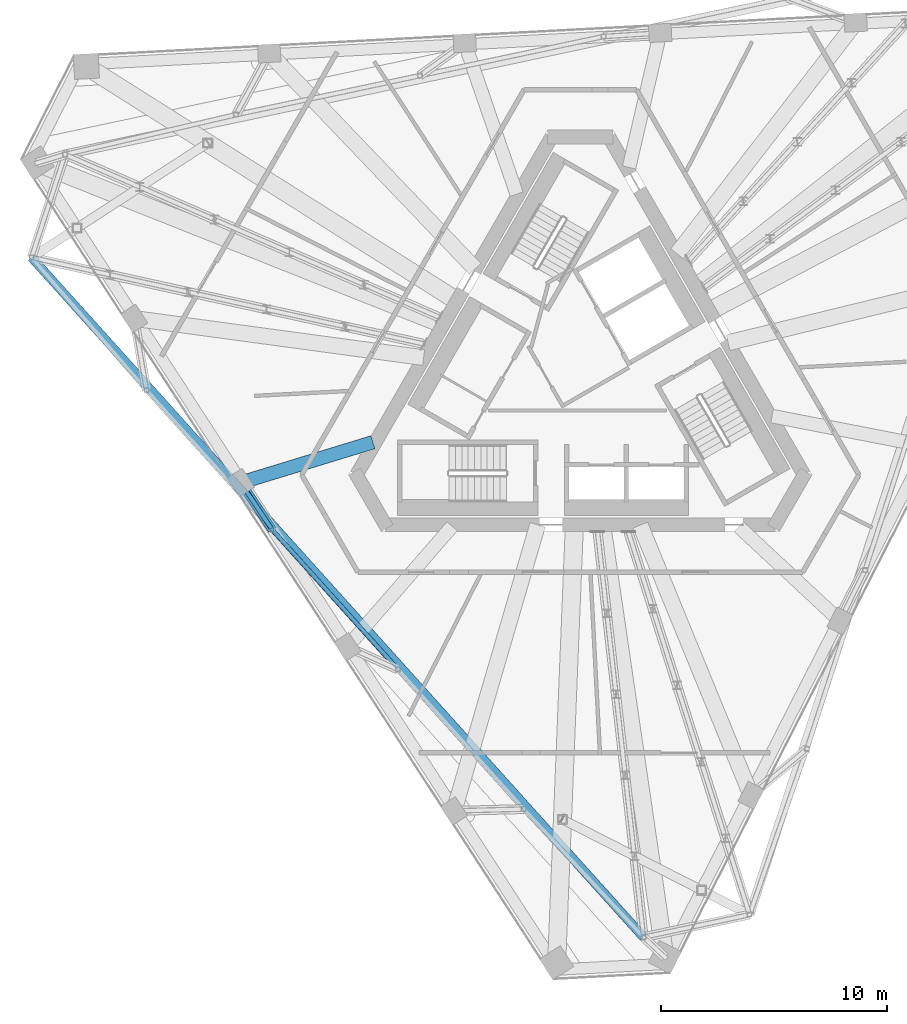
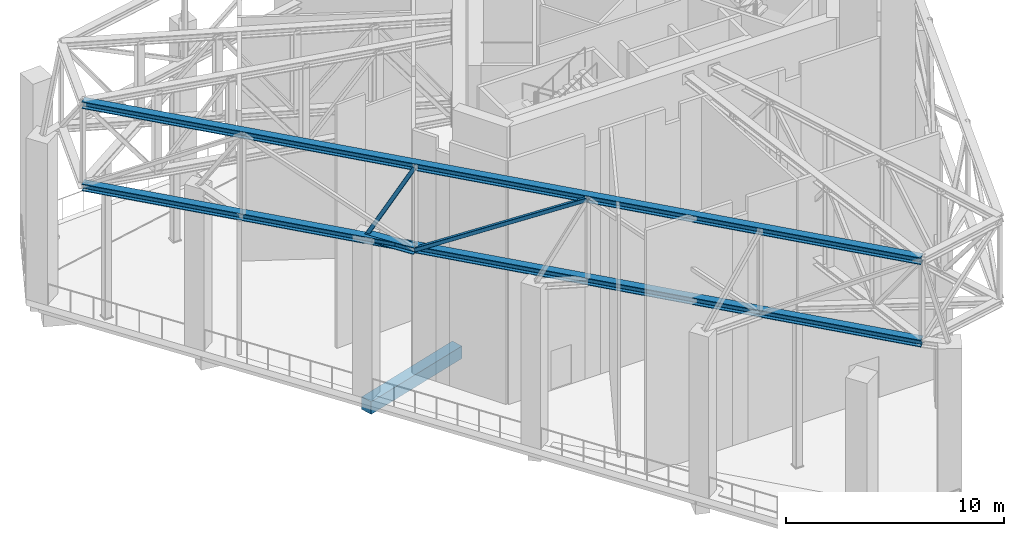
# One storey, part 5 of 23: 5 members, 1 beam.
"""IFC4 building model written with IfcOpenShell, lengths in metres."""

from ifc_helpers import new_model, si_unit, direction, frame, origin, origin_2d, place, context, subcontext, project, spatial, rectangle, hollow_rectangle, i_section, extrude, material, material_profile, profile_set, type_object, element, save


model = new_model("IFC4")

# Units and contexts
model_context = context("Model", 3, precision=1e-05, world=origin(), true_north=direction((0.0, 1.0)))
body_context = subcontext(model_context, "Body", "Model", "MODEL_VIEW")
ifc_project = project(units=[si_unit("LENGTHUNIT", "METRE"), si_unit("AREAUNIT", "SQUARE_METRE"), si_unit("VOLUMEUNIT", "CUBIC_METRE"), si_unit("PLANEANGLEUNIT", "RADIAN"), si_unit("MASSUNIT", "GRAM", prefix="KILO")], contexts=[model_context])

# Site, building, storey
site_placement = place(None, origin())
site = spatial("IfcSite", under=ifc_project, at=site_placement, CompositionType="ELEMENT")
building_placement = place(site_placement, origin())
building = spatial("IfcBuilding", under=site, at=building_placement, Name="Tramontana Tower", CompositionType="ELEMENT")
storey_placement = place(building_placement, frame((0.0, 0.0, 306.39990234375)))
storey = spatial("IfcBuildingStorey", under=building, at=storey_placement, Name="L72", CompositionType="ELEMENT", Elevation=306.39990234375)

# Members
ifc_material_1 = material(Name="Steel ASTM A500 Grade C", Category="steel")
ifc_material_profile_1 = material_profile(ifc_material_1, hollow_rectangle(XDim=0.203125, YDim=0.203125, WallThickness=0.0087890625, InnerFilletRadius=0.0087890625, OuterFilletRadius=0.017822265625, at=origin_2d()), Name="HSS8X8X3/8")
ifc_profile_set_1 = profile_set([ifc_material_profile_1], Name="Steel ASTM A500 Grade C")
member_type_1 = type_object("IfcMemberType", Name="Belt truss HSS8X8X3/8 brace", PredefinedType="BRACE", material=ifc_profile_set_1)
member_1_placement = place(storey_placement, frame((-13.63134765625, -6.68017578125, 8.84375), z_axis=(0.585114730866, -0.649825040784, 0.485147573521), x_axis=(0.743139345742, 0.669136692171, 0.0)))
element("IfcMember", 1, at=member_1_placement, inside=storey, type_object=member_type_1, Name="Belt truss diagonal S0.3", PredefinedType="BRACE", context=body_context, shape_type="SweptSolid", body=[
    extrude(hollow_rectangle(XDim=0.203125, YDim=0.203125, WallThickness=0.0087890625, InnerFilletRadius=0.0087890625, OuterFilletRadius=0.017822265625, at=origin_2d()), origin(), (0.0, 0.0, 1.0), 9.507568359375),
])
ifc_material_2 = material(Name="Steel ASTM A992 Grade 50", Category="steel")
ifc_material_profile_2 = material_profile(ifc_material_2, i_section(OverallWidth=0.39697265625, OverallDepth=0.387451171875, WebThickness=0.020751953125, FlangeThickness=0.033447265625, FilletRadius=0.01513671875, at=origin_2d()), Name="W14X176")
ifc_profile_set_2 = profile_set([ifc_material_profile_2], Name="Steel ASTM A992 Grade 50")
member_type_2 = type_object("IfcMemberType", Name="Belt truss W14X176 chord", PredefinedType="CHORD", material=ifc_profile_set_2)
for number, where, z_axis, x_axis, name in (
    (2, (-24.278076171875, 5.368408203125, 8.84375), (0.669130031313, -0.743145343251, 0.0), (0.743145343251, 0.669130031313, 0.0), "Belt truss bottom chord S0"),
    (3, (-24.278076171875, 5.368408203125, 13.456298828125), (0.669130031313, -0.743145343251, 0.0), (0.743145343251, 0.669130031313, 0.0), "Belt truss top chord S0"),
):
    element("IfcMember", number, at=place(storey_placement, frame(where, z_axis=z_axis, x_axis=x_axis)), inside=storey, type_object=member_type_2, Name=name, PredefinedType="CHORD", context=body_context, shape_type="SweptSolid", body=[
        extrude(i_section(OverallWidth=0.39697265625, OverallDepth=0.387451171875, WebThickness=0.020751953125, FlangeThickness=0.033447265625, FilletRadius=0.01513671875, at=origin_2d()), origin(), (0.0, 0.0, 1.0), 40.469482421875),
    ])

# Beam
ifc_material_3 = material(Name="Concrete 40 MPa", Category="concrete")
ifc_material_profile_3 = material_profile(ifc_material_3, rectangle(XDim=0.60009765625, YDim=0.699951171875, at=origin_2d()), Name="RC GIRDER 600X700 40 MPa")
ifc_profile_set_3 = profile_set([ifc_material_profile_3], Name="Concrete 40 MPa")
beam_type = type_object("IfcBeamType", Name="RC GIRDER 600X700 40 MPa", PredefinedType="BEAM", material=ifc_profile_set_3)
beam_placement = place(storey_placement, frame((-15.022216796875, -4.592529296875, -0.699951171875), z_axis=(0.956311245936, 0.292350476137, 0.0), x_axis=(-0.292350476137, 0.956311245936, 0.0)))
element("IfcBeam", 4, at=beam_placement, inside=storey, type_object=beam_type, Name="Radial girder C7F02 L72", PredefinedType="BEAM", context=body_context, shape_type="SweptSolid", body=[
    extrude(rectangle(XDim=0.60009765625, YDim=0.699951171875, at=origin_2d()), origin(), (0.0, 0.0, 1.0), 6.111328125),
])

# Members
ifc_material_4 = material(Name="Steel ASTM A500 Grade C", Category="steel")
ifc_material_profile_4 = material_profile(ifc_material_4, hollow_rectangle(XDim=0.203125, YDim=0.203125, WallThickness=0.0087890625, InnerFilletRadius=0.0087890625, OuterFilletRadius=0.017822265625, at=origin_2d()), Name="HSS8X8X3/8")
ifc_profile_set_4 = profile_set([ifc_material_profile_4], Name="Steel ASTM A500 Grade C")
member_type_3 = type_object("IfcMemberType", Name="Transfer truss HSS8X8X3/8 brace", PredefinedType="BRACE", material=ifc_profile_set_4)
member_2_placement = place(storey_placement, frame((-15.022216796875, -4.592529296875, 8.84375), z_axis=(0.264899145689, -0.397604457572, 0.878486845622), x_axis=(0.832214959307, 0.554453119304, 0.0)))
element("IfcMember", 5, at=member_2_placement, inside=storey, type_object=member_type_3, Name="Transfer truss strut C8F02 diagonal", PredefinedType="BRACE", context=body_context, shape_type="SweptSolid", body=[
    extrude(hollow_rectangle(XDim=0.203125, YDim=0.203125, WallThickness=0.0087890625, InnerFilletRadius=0.0087890625, OuterFilletRadius=0.017822265625, at=origin_2d()), origin(), (0.0, 0.0, 1.0), 5.25048828125),
])
ifc_material_5 = material(Name="Steel ASTM A992 Grade 50", Category="steel")
ifc_material_profile_5 = material_profile(ifc_material_5, i_section(OverallWidth=0.39697265625, OverallDepth=0.387451171875, WebThickness=0.020751953125, FlangeThickness=0.033447265625, FilletRadius=0.01513671875, at=origin_2d()), Name="W14X176")
ifc_profile_set_5 = profile_set([ifc_material_profile_5], Name="Steel ASTM A992 Grade 50")
member_type_4 = type_object("IfcMemberType", Name="Transfer truss W14X176 strut", PredefinedType="STRUT", material=ifc_profile_set_5)
member_3_placement = place(storey_placement, frame((-15.022216796875, -4.592529296875, 8.84375), z_axis=(0.554453119304, -0.832214959307, 0.0), x_axis=(0.832214959307, 0.554453119304, 0.0)))
element("IfcMember", 6, at=member_3_placement, inside=storey, type_object=member_type_4, Name="Transfer truss strut C8F02 bottom", PredefinedType="STRUT", context=body_context, shape_type="SweptSolid", body=[
    extrude(i_section(OverallWidth=0.39697265625, OverallDepth=0.387451171875, WebThickness=0.020751953125, FlangeThickness=0.033447265625, FilletRadius=0.01513671875, at=origin_2d()), origin(), (0.0, 0.0, 1.0), 2.508544921875),
])

save(model, "model.ifc")
